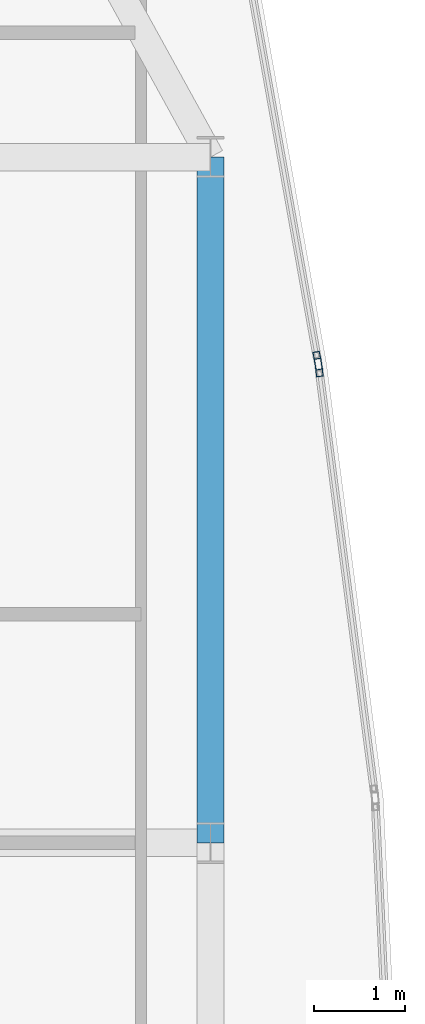
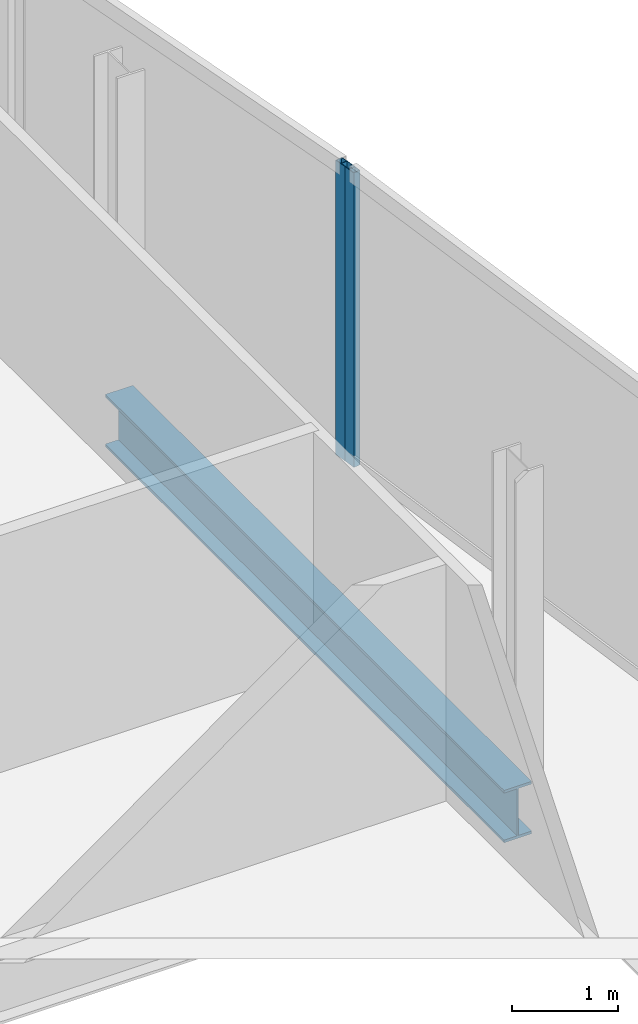
# One storey, part 19 of 30: 2 members, 1 beam, 2 elements without a shape of their own.
"""IFC4 building model written with IfcOpenShell, lengths in metres."""

from ifc_helpers import new_model, si_unit, direction, frame, origin, origin_2d, place, context, subcontext, project, spatial, hollow_rectangle, i_section, extrude, material, material_profile, profile_set, type_object, element, aggregate, save


model = new_model("IFC4")

# Units and contexts
model_context = context("Model", 3, precision=1e-05, world=origin(), true_north=direction((0.0, 1.0)))
body_context = subcontext(model_context, "Body", "Model", "MODEL_VIEW")
ifc_project = project(units=[si_unit("LENGTHUNIT", "METRE"), si_unit("AREAUNIT", "SQUARE_METRE"), si_unit("VOLUMEUNIT", "CUBIC_METRE"), si_unit("PLANEANGLEUNIT", "RADIAN"), si_unit("MASSUNIT", "GRAM", prefix="KILO")], contexts=[model_context])

# Site, building, storey
site_placement = place(None, origin())
site = spatial("IfcSite", under=ifc_project, at=site_placement, CompositionType="ELEMENT")
building_placement = place(site_placement, origin())
building = spatial("IfcBuilding", under=site, at=building_placement, Name="Khoronbel Lancet Exchange", CompositionType="ELEMENT")
storey_placement = place(building_placement, frame((0.0, 0.0, 253.39990234375)))
storey = spatial("IfcBuildingStorey", under=building, at=storey_placement, Name="L65", CompositionType="ELEMENT", Elevation=253.39990234375)

# Beam
ifc_material_1 = material(Name="Steel S355", Category="steel")
ifc_material_profile_1 = material_profile(ifc_material_1, i_section(OverallWidth=0.300048828125, OverallDepth=0.60009765625, WebThickness=0.015380859375, FlangeThickness=0.030029296875, at=origin_2d()), Name="HEB 600")
ifc_profile_set_1 = profile_set([ifc_material_profile_1], Name="Steel S355")
beam_type = type_object("IfcBeamType", Name="BM-BSP2", PredefinedType="SPANDREL", material=ifc_profile_set_1)
beam_placement = place(storey_placement, frame((63.6298828125, 35.699951171875, -0.4599609375), z_axis=(0.0, 1.0, 0.0), x_axis=(-1.0, 0.0, 0.0)))
element("IfcBeam", 1, at=beam_placement, inside=storey, type_object=beam_type, Name="Level L65 perimeter spandrel beam SP14", PredefinedType="SPANDREL", context=body_context, shape_type="SweptSolid", body=[
    extrude(i_section(OverallWidth=0.300048828125, OverallDepth=0.60009765625, WebThickness=0.015380859375, FlangeThickness=0.030029296875, at=origin_2d()), origin(), (0.0, 0.0, 1.0), 7.5),
])

# Curtain wall, member
ifc_material_2 = material(Name="Low-E Solar Control Insulating Glass", Category="glass")
curtain_wall_type = type_object("IfcCurtainWallType", Name="CW-4", PredefinedType="NOTDEFINED", material=ifc_material_2)
curtain_wall_1_placement = place(storey_placement, origin())
curtain_wall_1 = element("IfcCurtainWall", 2, at=curtain_wall_1_placement, inside=storey, type_object=curtain_wall_type, Name="Unitised curtain wall CW-L65-E17", PredefinedType="NOTDEFINED")
ifc_material_3 = material(Name="Bronze-Anodised Aluminium 6063-T6", Category="aluminium")
ifc_material_profile_2 = material_profile(ifc_material_3, hollow_rectangle(XDim=0.074951171875, YDim=0.199951171875, WallThickness=0.0048828125, at=origin_2d()), Name="ALU MULLION 75x200")
ifc_profile_set_2 = profile_set([ifc_material_profile_2], Name="Bronze-Anodised Aluminium 6063-T6")
member_type = type_object("IfcMemberType", Name="MEM-CWM2", PredefinedType="MULLION", material=ifc_profile_set_2)
member_1_placement = place(storey_placement, frame((64.802734375, 40.97314453125, 0.0), z_axis=(0.0, 0.0, 1.0), x_axis=(0.984425784404, 0.175800668376, 0.0)))
member_1 = element("IfcMember", 3, at=member_1_placement, type_object=member_type, Name="CW4 mullion 2", PredefinedType="MULLION", context=body_context, shape_type="SweptSolid", body=[
    extrude(hollow_rectangle(XDim=0.074951171875, YDim=0.199951171875, WallThickness=0.0048828125, at=origin_2d()), origin(), (0.0, 0.0, 1.0), 3.380126953125),
])
aggregate(curtain_wall_1, [member_1])

curtain_wall_2_placement = place(storey_placement, origin())
curtain_wall_2 = element("IfcCurtainWall", 4, at=curtain_wall_2_placement, inside=storey, type_object=curtain_wall_type, Name="Unitised curtain wall CW-L65-E18", PredefinedType="NOTDEFINED")
member_2_placement = place(storey_placement, frame((64.814208984375, 40.89892578125, 0.0), z_axis=(0.0, 0.0, 1.0), x_axis=(0.991560388751, 0.129645653456, 0.0)))
member_2 = element("IfcMember", 5, at=member_2_placement, type_object=member_type, Name="CW4 mullion 1", PredefinedType="MULLION", context=body_context, shape_type="SweptSolid", body=[
    extrude(hollow_rectangle(XDim=0.074951171875, YDim=0.199951171875, WallThickness=0.0048828125, at=origin_2d()), origin(), (0.0, 0.0, 1.0), 3.380126953125),
])
aggregate(curtain_wall_2, [member_2])

save(model, "model.ifc")
